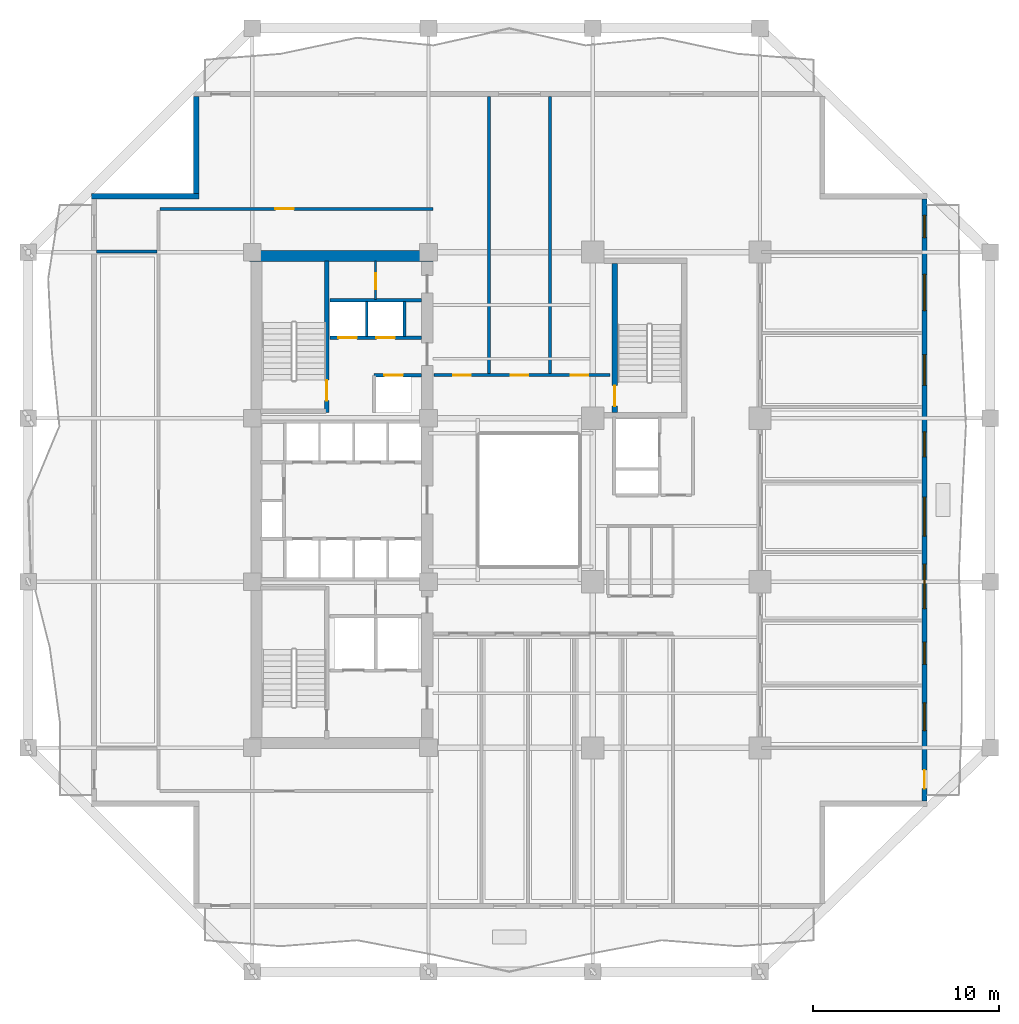
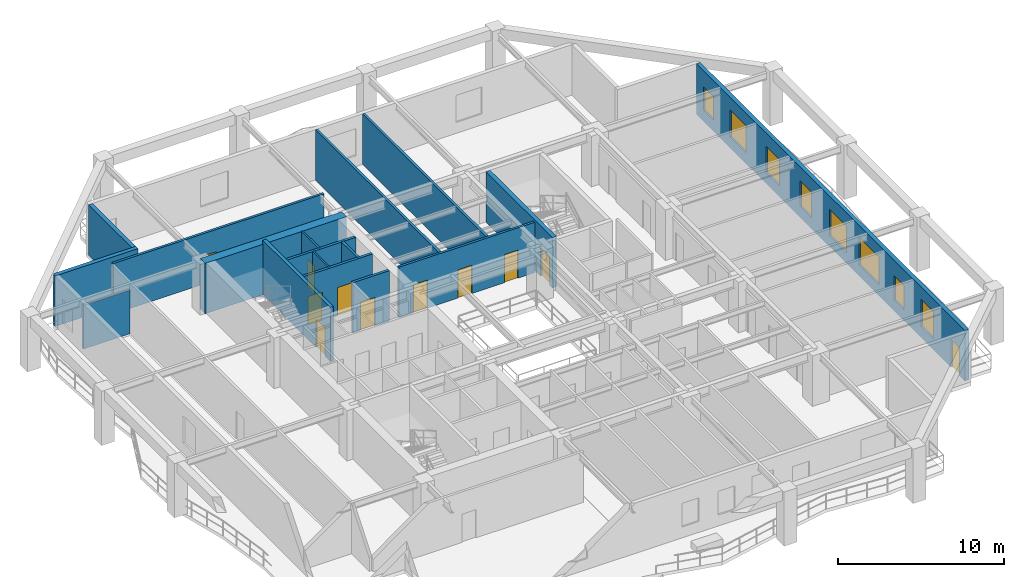
# One storey, part 5 of 13: 17 walls, 11 doors, 8 windows, 19 openings.
"""IFC4 building model written with IfcOpenShell, lengths in metres."""

from ifc_helpers import new_model, si_unit, direction, frame, frame_2d, origin, place, context, subcontext, project, spatial, rectangle, extrude, material, layer, layer_set, type_object, element, fill, save


model = new_model("IFC4")

# Units and contexts
model_context = context("Model", 3, precision=1e-05, world=origin(), true_north=direction((0.0, 1.0)))
body_context = subcontext(model_context, "Body", "Model", "MODEL_VIEW")
ifc_project = project(units=[si_unit("LENGTHUNIT", "METRE"), si_unit("AREAUNIT", "SQUARE_METRE"), si_unit("VOLUMEUNIT", "CUBIC_METRE"), si_unit("PLANEANGLEUNIT", "RADIAN"), si_unit("MASSUNIT", "GRAM", prefix="KILO")], contexts=[model_context])

# Site, building, storey
site_placement = place(None, origin())
site = spatial("IfcSite", under=ifc_project, at=site_placement, CompositionType="ELEMENT")
building_placement = place(site_placement, origin())
building = spatial("IfcBuilding", under=site, at=building_placement, Name="Kundavana Baori Tower", CompositionType="ELEMENT")
storey_placement = place(building_placement, frame((0.0, 0.0, 70.0)))
storey = spatial("IfcBuildingStorey", under=building, at=storey_placement, Name="L16", CompositionType="ELEMENT", Elevation=70.0)

# Wall, opening, door
ifc_material_1 = material(Name="Concrete C50/60", Category="concrete")
ifc_layer_1 = layer(ifc_material_1, 0.39990234375, Name="WL-CORE-400")
ifc_layer_set_1 = layer_set([ifc_layer_1], Name="Concrete C50/60")
wall_type_1 = type_object("IfcWallType", Name="WL-CORE-400", PredefinedType="SHEAR", material=ifc_layer_set_1)
wall_1_placement = place(storey_placement, frame((19.4599609375, 33.300048828125, 0.0), z_axis=(0.0, 0.0, 1.0), x_axis=(0.0, 1.0, 0.0)))
wall_1 = element("IfcWall", 1, at=wall_1_placement, inside=storey, type_object=wall_type_1, Name="WL-L16-ST2-E", PredefinedType="SHEAR", context=body_context, shape_type="SweptSolid", body=[
    extrude(rectangle(XDim=8.179931640625, YDim=0.239990234375, at=frame_2d((4.08984375, 0.0))), origin(), (0.0, 0.0, 1.0), 4.0),
])
opening_1_placement = place(wall_1_placement, frame((0.64990234375, 0.0, 0.0)))
opening_1 = element("IfcOpeningElement", 2, at=opening_1_placement, cuts=wall_1, Name="Opening FD-110", PredefinedType="OPENING", context=body_context, shape_type="SweptSolid", body=[
    extrude(rectangle(XDim=1.10009765625, YDim=2.10009765625, at=frame_2d((0.550048828125, 1.050048828125))), frame((0.0, 0.1298828125, 0.0), z_axis=(0.0, -1.0, 0.0), x_axis=(1.0, 0.0, 0.0)), (0.0, 0.0, 1.0), 0.260009765625),
])
ifc_material_2 = material(Name="Galvanised Steel Fire-Rated Door Leaf", Category="steel")
door_type_1 = type_object("IfcDoorType", Name="DR-FD120-1100", OperationType="NOTDEFINED", PredefinedType="DOOR", material=ifc_material_2)
door_1_placement = place(opening_1_placement, origin())
door_1 = element("IfcDoor", 3, at=door_1_placement, inside=storey, type_object=door_type_1, Name="DR-L16-ST2", OperationType="SINGLE_SWING_RIGHT", OverallHeight=2.10009765625, OverallWidth=1.10009765625, PredefinedType="DOOR", context=body_context, shape_type="SweptSolid", body=[
    extrude(rectangle(XDim=1.10009765625, YDim=2.10009765625, at=frame_2d((0.550048828125, 1.050048828125))), frame((0.0, 0.02490234375, 0.0), z_axis=(0.0, -1.0, 0.0), x_axis=(1.0, 0.0, 0.0)), (0.0, 0.0, 1.0), 0.050048828125),
])
fill(opening_1, door_1)

# Wall
ifc_material_3 = material(Name="Concrete C60/75", Category="concrete")
ifc_layer_2 = layer(ifc_material_3, 0.60009765625, Name="WL-CORE-600")
ifc_layer_set_2 = layer_set([ifc_layer_2], Name="Concrete C60/75")
wall_type_2 = type_object("IfcWallType", Name="WL-CORE-600", PredefinedType="SHEAR", material=ifc_layer_set_2)
wall_2_placement = place(storey_placement, frame((15.300048828125, 41.739990234375, 0.0), z_axis=(0.0, 0.0, 1.0), x_axis=(1.0, 0.0, 0.0)))
element("IfcWall", 4, at=wall_2_placement, inside=storey, type_object=wall_type_2, Name="L16 Offset Core North Shear Wall", PredefinedType="SHEAR", context=body_context, shape_type="SweptSolid", body=[
    extrude(rectangle(XDim=9.8798828125, YDim=0.60009765625, at=frame_2d((4.93994140625, 0.0))), origin(), (0.0, 0.0, 1.0), 3.719970703125),
])

# Wall, openings, door, windows
ifc_material_4 = material(Name="Red-Buff Dholpur Sandstone Cladding on Concrete C40/50", Category="masonry")
ifc_layer_3 = layer(ifc_material_4, 0.280029296875, Name="WL-EXT-SAND-280")
ifc_layer_set_3 = layer_set([ifc_layer_3], Name="Red-Buff Dholpur Sandstone Cladding on Concrete C40/50")
wall_type_3 = type_object("IfcWallType", Name="WL-EXT-SAND-280", PredefinedType="STANDARD", material=ifc_layer_set_3)
wall_3_placement = place(storey_placement, frame((51.659912109375, 12.3798828125, 0.0), z_axis=(0.0, 0.0, 1.0), x_axis=(0.0, 1.0, 0.0)))
wall_3 = element("IfcWall", 5, at=wall_3_placement, inside=storey, type_object=wall_type_3, Name="L16 Exterior Insulated Facade Wall 04", PredefinedType="STANDARD", context=body_context, shape_type="SweptSolid", body=[
    extrude(rectangle(XDim=32.440185546875, YDim=0.280029296875, at=frame_2d((16.22021484375, 0.0))), origin(), (0.0, 0.0, 1.0), 3.719970703125),
])
opening_2_placement = place(wall_3_placement, frame((0.669921875, 0.0, 0.0)))
opening_2 = element("IfcOpeningElement", 6, at=opening_2_placement, cuts=wall_3, Name="Opening BD-1", PredefinedType="OPENING", context=body_context, shape_type="SweptSolid", body=[
    extrude(rectangle(XDim=1.0, YDim=2.050048828125, at=frame_2d((0.5, 1.02490234375))), frame((0.0, 0.14990234375, 0.0), z_axis=(0.0, -1.0, 0.0), x_axis=(1.0, 0.0, 0.0)), (0.0, 0.0, 1.0), 0.300048828125),
])
opening_3_placement = place(wall_3_placement, frame((3.794921875, 0.0, 0.800048828125)))
opening_3 = element("IfcOpeningElement", 7, at=opening_3_placement, cuts=wall_3, Name="Opening W-02", PredefinedType="OPENING", context=body_context, shape_type="SweptSolid", body=[
    extrude(rectangle(XDim=1.5, YDim=2.0, at=frame_2d((0.75, 1.0))), frame((0.0, 0.14990234375, 0.0), z_axis=(0.0, -1.0, 0.0), x_axis=(1.0, 0.0, 0.0)), (0.0, 0.0, 1.0), 0.300048828125),
])
opening_4_placement = place(wall_3_placement, frame((7.3701171875, 0.0, 0.800048828125)))
opening_4 = element("IfcOpeningElement", 8, at=opening_4_placement, cuts=wall_3, Name="Opening W-03", PredefinedType="OPENING", context=body_context, shape_type="SweptSolid", body=[
    extrude(rectangle(XDim=1.199951171875, YDim=1.75, at=frame_2d((0.60009765625, 0.875))), frame((0.0, 0.14990234375, 0.0), z_axis=(0.0, -1.0, 0.0), x_axis=(1.0, 0.0, 0.0)), (0.0, 0.0, 1.0), 0.300048828125),
])
opening_5_placement = place(wall_3_placement, frame((10.3701171875, 0.0, 0.800048828125)))
opening_5 = element("IfcOpeningElement", 9, at=opening_5_placement, cuts=wall_3, Name="Opening W-04", PredefinedType="OPENING", context=body_context, shape_type="SweptSolid", body=[
    extrude(rectangle(XDim=2.39990234375, YDim=2.050048828125, at=frame_2d((1.199951171875, 1.02490234375))), frame((0.0, 0.14990234375, 0.0), z_axis=(0.0, -1.0, 0.0), x_axis=(1.0, 0.0, 0.0)), (0.0, 0.0, 1.0), 0.300048828125),
])
opening_6_placement = place(wall_3_placement, frame((14.27001953125, 0.0, 0.800048828125)))
opening_6 = element("IfcOpeningElement", 10, at=opening_6_placement, cuts=wall_3, Name="Opening W-05", PredefinedType="OPENING", context=body_context, shape_type="SweptSolid", body=[
    extrude(rectangle(XDim=2.10009765625, YDim=1.949951171875, at=frame_2d((1.050048828125, 0.97509765625))), frame((0.0, 0.14990234375, 0.0), z_axis=(0.0, -1.0, 0.0), x_axis=(1.0, 0.0, 0.0)), (0.0, 0.0, 1.0), 0.300048828125),
])
opening_7_placement = place(wall_3_placement, frame((18.544921875, 0.0, 0.800048828125)))
opening_7 = element("IfcOpeningElement", 11, at=opening_7_placement, cuts=wall_3, Name="Opening W-07", PredefinedType="OPENING", context=body_context, shape_type="SweptSolid", body=[
    extrude(rectangle(XDim=1.35009765625, YDim=1.89990234375, at=frame_2d((0.675048828125, 0.949951171875))), frame((0.0, 0.14990234375, 0.0), z_axis=(0.0, -1.0, 0.0), x_axis=(1.0, 0.0, 0.0)), (0.0, 0.0, 1.0), 0.300048828125),
])
opening_8_placement = place(wall_3_placement, frame((22.39501953125, 0.0, 0.800048828125)))
opening_8 = element("IfcOpeningElement", 12, at=opening_8_placement, cuts=wall_3, Name="Opening W-08", PredefinedType="OPENING", context=body_context, shape_type="SweptSolid", body=[
    extrude(rectangle(XDim=1.64990234375, YDim=1.949951171875, at=frame_2d((0.824951171875, 0.97509765625))), frame((0.0, 0.14990234375, 0.0), z_axis=(0.0, -1.0, 0.0), x_axis=(1.0, 0.0, 0.0)), (0.0, 0.0, 1.0), 0.300048828125),
])
opening_9_placement = place(wall_3_placement, frame((26.419921875, 0.0, 0.800048828125)))
opening_9 = element("IfcOpeningElement", 13, at=opening_9_placement, cuts=wall_3, Name="Opening W-09", PredefinedType="OPENING", context=body_context, shape_type="SweptSolid", body=[
    extrude(rectangle(XDim=1.949951171875, YDim=2.0, at=frame_2d((0.97509765625, 1.0))), frame((0.0, 0.14990234375, 0.0), z_axis=(0.0, -1.0, 0.0), x_axis=(1.0, 0.0, 0.0)), (0.0, 0.0, 1.0), 0.300048828125),
])
opening_10_placement = place(wall_3_placement, frame((30.35009765625, 0.0, 0.800048828125)))
opening_10 = element("IfcOpeningElement", 14, at=opening_10_placement, cuts=wall_3, Name="Opening W-03", PredefinedType="OPENING", context=body_context, shape_type="SweptSolid", body=[
    extrude(rectangle(XDim=1.199951171875, YDim=1.75, at=frame_2d((0.60009765625, 0.875))), frame((0.0, 0.14990234375, 0.0), z_axis=(0.0, -1.0, 0.0), x_axis=(1.0, 0.0, 0.0)), (0.0, 0.0, 1.0), 0.300048828125),
])
ifc_material_5 = material(Name="Architectural Patinated Bronze Metalwork")
door_type_2 = type_object("IfcDoorType", Name="DR-EXT-LOG-1000", OperationType="NOTDEFINED", PredefinedType="DOOR", material=ifc_material_5)
door_2_placement = place(opening_2_placement, frame((1.0, 0.0, 0.0), z_axis=(0.0, 0.0, 1.0), x_axis=(-1.0, 0.0, 0.0)))
door_2 = element("IfcDoor", 15, at=door_2_placement, inside=storey, type_object=door_type_2, Name="L16 Loggia Balcony Access Door E", OperationType="SINGLE_SWING_RIGHT", OverallHeight=2.050048828125, OverallWidth=1.0, PredefinedType="DOOR", context=body_context, shape_type="SweptSolid", body=[
    extrude(rectangle(XDim=1.0, YDim=2.050048828125, at=frame_2d((0.5, 1.02490234375))), frame((0.0, 0.02490234375, 0.0), z_axis=(0.0, -1.0, 0.0), x_axis=(1.0, 0.0, 0.0)), (0.0, 0.0, 1.0), 0.050048828125),
])
fill(opening_2, door_2)
ifc_material_6 = material(Name="Double-Glazed Solar-Control Low-E Insulated Glass", Category="glass")
window_type_1 = type_object("IfcWindowType", Name="WIN-LOG-1200x1750", PartitioningType="SINGLE_PANEL", PredefinedType="WINDOW", material=ifc_material_6)
window_1_placement = place(opening_4_placement, origin())
window_1 = element("IfcWindow", 16, at=window_1_placement, inside=storey, type_object=window_type_1, Name="L16 Recessed Loggia Window E-3", OverallHeight=1.75, OverallWidth=1.199951171875, PartitioningType="SINGLE_PANEL", PredefinedType="WINDOW", context=body_context, shape_type="SweptSolid", body=[
    extrude(rectangle(XDim=1.199951171875, YDim=1.75, at=frame_2d((0.60009765625, 0.875))), frame((0.0, 0.030029296875, 0.0), z_axis=(0.0, -1.0, 0.0), x_axis=(1.0, 0.0, 0.0)), (0.0, 0.0, 1.0), 0.06005859375),
])
fill(opening_4, window_1)
window_2_placement = place(opening_10_placement, origin())
window_2 = element("IfcWindow", 17, at=window_2_placement, inside=storey, type_object=window_type_1, Name="L16 Recessed Loggia Window E-9", OverallHeight=1.75, OverallWidth=1.199951171875, PartitioningType="SINGLE_PANEL", PredefinedType="WINDOW", context=body_context, shape_type="SweptSolid", body=[
    extrude(rectangle(XDim=1.199951171875, YDim=1.75, at=frame_2d((0.60009765625, 0.875))), frame((0.0, 0.030029296875, 0.0), z_axis=(0.0, -1.0, 0.0), x_axis=(1.0, 0.0, 0.0)), (0.0, 0.0, 1.0), 0.06005859375),
])
fill(opening_10, window_2)
ifc_material_7 = material(Name="Double-Glazed Solar-Control Low-E Insulated Glass", Category="glass")
window_type_2 = type_object("IfcWindowType", Name="WIN-LOG-1350x1900", PartitioningType="SINGLE_PANEL", PredefinedType="WINDOW", material=ifc_material_7)
window_3_placement = place(opening_7_placement, origin())
window_3 = element("IfcWindow", 18, at=window_3_placement, inside=storey, type_object=window_type_2, Name="L16 Recessed Loggia Window E-6", OverallHeight=1.89990234375, OverallWidth=1.35009765625, PartitioningType="SINGLE_PANEL", PredefinedType="WINDOW", context=body_context, shape_type="SweptSolid", body=[
    extrude(rectangle(XDim=1.35009765625, YDim=1.89990234375, at=frame_2d((0.675048828125, 0.949951171875))), frame((0.0, 0.030029296875, 0.0), z_axis=(0.0, -1.0, 0.0), x_axis=(1.0, 0.0, 0.0)), (0.0, 0.0, 1.0), 0.06005859375),
])
fill(opening_7, window_3)
ifc_material_8 = material(Name="Double-Glazed Solar-Control Low-E Insulated Glass", Category="glass")
window_type_3 = type_object("IfcWindowType", Name="WIN-LOG-1500x2000", PartitioningType="SINGLE_PANEL", PredefinedType="WINDOW", material=ifc_material_8)
window_4_placement = place(opening_3_placement, origin())
window_4 = element("IfcWindow", 19, at=window_4_placement, inside=storey, type_object=window_type_3, Name="L16 Recessed Loggia Window E-2", OverallHeight=2.0, OverallWidth=1.5, PartitioningType="SINGLE_PANEL", PredefinedType="WINDOW", context=body_context, shape_type="SweptSolid", body=[
    extrude(rectangle(XDim=1.5, YDim=2.0, at=frame_2d((0.75, 1.0))), frame((0.0, 0.030029296875, 0.0), z_axis=(0.0, -1.0, 0.0), x_axis=(1.0, 0.0, 0.0)), (0.0, 0.0, 1.0), 0.06005859375),
])
fill(opening_3, window_4)
ifc_material_9 = material(Name="Double-Glazed Solar-Control Low-E Insulated Glass", Category="glass")
window_type_4 = type_object("IfcWindowType", Name="WIN-LOG-1650x1950", PartitioningType="SINGLE_PANEL", PredefinedType="WINDOW", material=ifc_material_9)
window_5_placement = place(opening_8_placement, origin())
window_5 = element("IfcWindow", 20, at=window_5_placement, inside=storey, type_object=window_type_4, Name="L16 Recessed Loggia Window E-7", OverallHeight=1.949951171875, OverallWidth=1.64990234375, PartitioningType="SINGLE_PANEL", PredefinedType="WINDOW", context=body_context, shape_type="SweptSolid", body=[
    extrude(rectangle(XDim=1.64990234375, YDim=1.949951171875, at=frame_2d((0.824951171875, 0.97509765625))), frame((0.0, 0.030029296875, 0.0), z_axis=(0.0, -1.0, 0.0), x_axis=(1.0, 0.0, 0.0)), (0.0, 0.0, 1.0), 0.06005859375),
])
fill(opening_8, window_5)
ifc_material_10 = material(Name="Double-Glazed Solar-Control Low-E Insulated Glass", Category="glass")
window_type_5 = type_object("IfcWindowType", Name="WIN-LOG-1950x2000", PartitioningType="SINGLE_PANEL", PredefinedType="WINDOW", material=ifc_material_10)
window_6_placement = place(opening_9_placement, origin())
window_6 = element("IfcWindow", 21, at=window_6_placement, inside=storey, type_object=window_type_5, Name="L16 Recessed Loggia Window E-8", OverallHeight=2.0, OverallWidth=1.949951171875, PartitioningType="SINGLE_PANEL", PredefinedType="WINDOW", context=body_context, shape_type="SweptSolid", body=[
    extrude(rectangle(XDim=1.949951171875, YDim=2.0, at=frame_2d((0.97509765625, 1.0))), frame((0.0, 0.030029296875, 0.0), z_axis=(0.0, -1.0, 0.0), x_axis=(1.0, 0.0, 0.0)), (0.0, 0.0, 1.0), 0.06005859375),
])
fill(opening_9, window_6)
ifc_material_11 = material(Name="Double-Glazed Solar-Control Low-E Insulated Glass", Category="glass")
window_type_6 = type_object("IfcWindowType", Name="WIN-LOG-2100x1950", PartitioningType="SINGLE_PANEL", PredefinedType="WINDOW", material=ifc_material_11)
window_7_placement = place(opening_6_placement, origin())
window_7 = element("IfcWindow", 22, at=window_7_placement, inside=storey, type_object=window_type_6, Name="L16 Recessed Loggia Window E-5", OverallHeight=1.949951171875, OverallWidth=2.10009765625, PartitioningType="SINGLE_PANEL", PredefinedType="WINDOW", context=body_context, shape_type="SweptSolid", body=[
    extrude(rectangle(XDim=2.10009765625, YDim=1.949951171875, at=frame_2d((1.050048828125, 0.97509765625))), frame((0.0, 0.030029296875, 0.0), z_axis=(0.0, -1.0, 0.0), x_axis=(1.0, 0.0, 0.0)), (0.0, 0.0, 1.0), 0.06005859375),
])
fill(opening_6, window_7)
ifc_material_12 = material(Name="Double-Glazed Solar-Control Low-E Insulated Glass", Category="glass")
window_type_7 = type_object("IfcWindowType", Name="WIN-LOG-2400x2050", PartitioningType="SINGLE_PANEL", PredefinedType="WINDOW", material=ifc_material_12)
window_8_placement = place(opening_5_placement, origin())
window_8 = element("IfcWindow", 23, at=window_8_placement, inside=storey, type_object=window_type_7, Name="L16 Recessed Loggia Window E-4", OverallHeight=2.050048828125, OverallWidth=2.39990234375, PartitioningType="SINGLE_PANEL", PredefinedType="WINDOW", context=body_context, shape_type="SweptSolid", body=[
    extrude(rectangle(XDim=2.39990234375, YDim=2.050048828125, at=frame_2d((1.199951171875, 1.02490234375))), frame((0.0, 0.030029296875, 0.0), z_axis=(0.0, -1.0, 0.0), x_axis=(1.0, 0.0, 0.0)), (0.0, 0.0, 1.0), 0.06005859375),
])
fill(opening_5, window_8)

# Walls
wall_4_placement = place(storey_placement, frame((12.43994140625, 50.320068359375, 0.0), z_axis=(0.0, 0.0, 1.0), x_axis=(0.0, -1.0, 0.0)))
element("IfcWall", 24, at=wall_4_placement, inside=storey, type_object=wall_type_3, Name="L16 Exterior Insulated Facade Wall 08", PredefinedType="STANDARD", context=body_context, shape_type="SweptSolid", body=[
    extrude(rectangle(XDim=5.219970703125, YDim=0.280029296875, at=frame_2d((2.60986328125, 0.0))), origin(), (0.0, 0.0, 1.0), 3.719970703125),
])
wall_5_placement = place(storey_placement, frame((12.580078125, 44.9599609375, 0.0), z_axis=(0.0, 0.0, 1.0), x_axis=(-1.0, 0.0, 0.0)))
element("IfcWall", 25, at=wall_5_placement, inside=storey, type_object=wall_type_3, Name="L16 Exterior Insulated Facade Wall 09", PredefinedType="STANDARD", context=body_context, shape_type="SweptSolid", body=[
    extrude(rectangle(XDim=5.780029296875, YDim=0.280029296875, at=frame_2d((2.89013671875, 0.0))), origin(), (0.0, 0.0, 1.0), 3.719970703125),
])
ifc_material_13 = material(Name="Acoustic Gypsum Plasterboard on Galvanised Steel Studs", Category="steel")
ifc_layer_4 = layer(ifc_material_13, 0.1201171875, Name="WL-PART-120")
ifc_layer_set_4 = layer_set([ifc_layer_4], Name="Acoustic Gypsum Plasterboard on Galvanised Steel Studs")
wall_type_4 = type_object("IfcWallType", Name="WL-PART-120", PredefinedType="PARTITIONING", material=ifc_layer_set_4)
wall_6_placement = place(storey_placement, frame((21.6201171875, 37.39990234375, 0.0), z_axis=(0.0, 0.0, 1.0), x_axis=(0.0, 1.0, 0.0)))
element("IfcWall", 26, at=wall_6_placement, inside=storey, type_object=wall_type_4, Name="WL-L16-HR-DIV1", PredefinedType="PARTITIONING", context=body_context, shape_type="SweptSolid", body=[
    extrude(rectangle(XDim=1.900146484375, YDim=0.1201171875, at=frame_2d((0.9501953125, 0.0))), origin(), (0.0, 0.0, 1.0), 3.719970703125),
])

# Wall, opening, door
wall_7_placement = place(storey_placement, frame((22.10009765625, 39.39990234375, 0.0), z_axis=(0.0, 0.0, 1.0), x_axis=(0.0, 1.0, 0.0)))
wall_7 = element("IfcWall", 27, at=wall_7_placement, inside=storey, type_object=wall_type_4, Name="WL-L16-CSRV-D1", PredefinedType="PARTITIONING", context=body_context, shape_type="SweptSolid", body=[
    extrude(rectangle(XDim=2.080078125, YDim=0.1201171875, at=frame_2d((1.0400390625, 0.0))), origin(), (0.0, 0.0, 1.0), 3.719970703125),
])
opening_11_placement = place(wall_7_placement, frame((0.550048828125, 0.0, 0.0)))
opening_11 = element("IfcOpeningElement", 28, at=opening_11_placement, cuts=wall_7, Name="Opening FD-085", PredefinedType="OPENING", context=body_context, shape_type="SweptSolid", body=[
    extrude(rectangle(XDim=0.85009765625, YDim=2.06005859375, at=frame_2d((0.425048828125, 1.030029296875))), frame((0.0, 0.070068359375, 0.0), z_axis=(0.0, -1.0, 0.0), x_axis=(1.0, 0.0, 0.0)), (0.0, 0.0, 1.0), 0.14013671875),
])
ifc_material_14 = material(Name="Galvanised Steel Fire-Rated Door Leaf", Category="steel")
door_type_3 = type_object("IfcDoorType", Name="DR-FD60-850", OperationType="NOTDEFINED", PredefinedType="DOOR", material=ifc_material_14)
door_3_placement = place(opening_11_placement, origin())
door_3 = element("IfcDoor", 29, at=door_3_placement, inside=storey, type_object=door_type_3, Name="DR-L16-CSRV1", OperationType="SINGLE_SWING_LEFT", OverallHeight=2.06005859375, OverallWidth=0.85009765625, PredefinedType="DOOR", context=body_context, shape_type="SweptSolid", body=[
    extrude(rectangle(XDim=0.85009765625, YDim=2.06005859375, at=frame_2d((0.425048828125, 1.030029296875))), frame((0.0, 0.02490234375, 0.0), z_axis=(0.0, -1.0, 0.0), x_axis=(1.0, 0.0, 0.0)), (0.0, 0.0, 1.0), 0.050048828125),
])
fill(opening_11, door_3)

# Wall, openings, doors
ifc_material_15 = material(Name="Fire-Rated Gypsum Drywall on Galvanised Steel Studs", Category="steel")
ifc_layer_5 = layer(ifc_material_15, 0.1650390625, Name="WL-PART-165")
ifc_layer_set_5 = layer_set([ifc_layer_5], Name="Fire-Rated Gypsum Drywall on Galvanised Steel Studs")
wall_type_5 = type_object("IfcWallType", Name="WL-PART-165", PredefinedType="PARTITIONING", material=ifc_layer_set_5)
wall_8_placement = place(storey_placement, frame((25.25, 35.320068359375, 0.0), z_axis=(0.0, 0.0, 1.0), x_axis=(1.0, 0.0, 0.0)))
wall_8 = element("IfcWall", 30, at=wall_8_placement, inside=storey, type_object=wall_type_5, Name="WL-L16-OFN", PredefinedType="PARTITIONING", context=body_context, shape_type="SweptSolid", body=[
    extrude(rectangle(XDim=9.469970703125, YDim=0.1650390625, at=frame_2d((4.73486328125, 0.0))), origin(), (0.0, 0.0, 1.0), 3.719970703125),
])
opening_12_placement = place(wall_8_placement, frame((1.02490234375, 0.0, 0.0)))
opening_12 = element("IfcOpeningElement", 31, at=opening_12_placement, cuts=wall_8, Name="Opening ID-095", PredefinedType="OPENING", context=body_context, shape_type="SweptSolid", body=[
    extrude(rectangle(XDim=0.949951171875, YDim=2.080078125, at=frame_2d((0.47509765625, 1.0400390625))), frame((0.0, 0.092529296875, 0.0), z_axis=(0.0, -1.0, 0.0), x_axis=(1.0, 0.0, 0.0)), (0.0, 0.0, 1.0), 0.18505859375),
])
opening_13_placement = place(wall_8_placement, frame((4.125, 0.0, 0.0)))
opening_13 = element("IfcOpeningElement", 32, at=opening_13_placement, cuts=wall_8, Name="Opening ID-095", PredefinedType="OPENING", context=body_context, shape_type="SweptSolid", body=[
    extrude(rectangle(XDim=0.949951171875, YDim=2.080078125, at=frame_2d((0.47509765625, 1.0400390625))), frame((0.0, 0.092529296875, 0.0), z_axis=(0.0, -1.0, 0.0), x_axis=(1.0, 0.0, 0.0)), (0.0, 0.0, 1.0), 0.18505859375),
])
opening_14_placement = place(wall_8_placement, frame((7.364990234375, 0.0, 0.0)))
opening_14 = element("IfcOpeningElement", 33, at=opening_14_placement, cuts=wall_8, Name="Opening ID-095", PredefinedType="OPENING", context=body_context, shape_type="SweptSolid", body=[
    extrude(rectangle(XDim=0.949951171875, YDim=2.080078125, at=frame_2d((0.47509765625, 1.0400390625))), frame((0.0, 0.092529296875, 0.0), z_axis=(0.0, -1.0, 0.0), x_axis=(1.0, 0.0, 0.0)), (0.0, 0.0, 1.0), 0.18505859375),
])
ifc_material_16 = material(Name="Engineered Teak Solid-Core Timber Veneer", Category="wood")
door_type_4 = type_object("IfcDoorType", Name="DR-INT-950", OperationType="NOTDEFINED", PredefinedType="DOOR", material=ifc_material_16)
door_4_placement = place(opening_12_placement, origin())
door_4 = element("IfcDoor", 34, at=door_4_placement, inside=storey, type_object=door_type_4, Name="DR-L16-OFN1", OperationType="SINGLE_SWING_LEFT", OverallHeight=2.080078125, OverallWidth=0.949951171875, PredefinedType="DOOR", context=body_context, shape_type="SweptSolid", body=[
    extrude(rectangle(XDim=0.949951171875, YDim=2.080078125, at=frame_2d((0.47509765625, 1.0400390625))), frame((0.0, 0.02490234375, 0.0), z_axis=(0.0, -1.0, 0.0), x_axis=(1.0, 0.0, 0.0)), (0.0, 0.0, 1.0), 0.050048828125),
])
fill(opening_12, door_4)
door_5_placement = place(opening_13_placement, origin())
door_5 = element("IfcDoor", 35, at=door_5_placement, inside=storey, type_object=door_type_4, Name="DR-L16-OFN2", OperationType="SINGLE_SWING_LEFT", OverallHeight=2.080078125, OverallWidth=0.949951171875, PredefinedType="DOOR", context=body_context, shape_type="SweptSolid", body=[
    extrude(rectangle(XDim=0.949951171875, YDim=2.080078125, at=frame_2d((0.47509765625, 1.0400390625))), frame((0.0, 0.02490234375, 0.0), z_axis=(0.0, -1.0, 0.0), x_axis=(1.0, 0.0, 0.0)), (0.0, 0.0, 1.0), 0.050048828125),
])
fill(opening_13, door_5)
door_6_placement = place(opening_14_placement, origin())
door_6 = element("IfcDoor", 36, at=door_6_placement, inside=storey, type_object=door_type_4, Name="DR-L16-OFN3", OperationType="SINGLE_SWING_LEFT", OverallHeight=2.080078125, OverallWidth=0.949951171875, PredefinedType="DOOR", context=body_context, shape_type="SweptSolid", body=[
    extrude(rectangle(XDim=0.949951171875, YDim=2.080078125, at=frame_2d((0.47509765625, 1.0400390625))), frame((0.0, 0.02490234375, 0.0), z_axis=(0.0, -1.0, 0.0), x_axis=(1.0, 0.0, 0.0)), (0.0, 0.0, 1.0), 0.050048828125),
])
fill(opening_14, door_6)

# Wall
wall_9_placement = place(storey_placement, frame((7.080078125, 41.97998046875, 0.0), z_axis=(0.0, 0.0, 1.0), x_axis=(1.0, 0.0, 0.0)))
element("IfcWall", 37, at=wall_9_placement, inside=storey, type_object=wall_type_5, Name="WL-L16-OWN", PredefinedType="PARTITIONING", context=body_context, shape_type="SweptSolid", body=[
    extrude(rectangle(XDim=3.260009765625, YDim=0.1650390625, at=frame_2d((1.6298828125, 0.0))), origin(), (0.0, 0.0, 1.0), 3.219970703125),
])

# Wall, opening, door
wall_10_placement = place(storey_placement, frame((10.5, 44.280029296875, 0.0), z_axis=(0.0, 0.0, 1.0), x_axis=(1.0, 0.0, 0.0)))
wall_10 = element("IfcWall", 38, at=wall_10_placement, inside=storey, type_object=wall_type_5, Name="WL-L16-ONC", PredefinedType="PARTITIONING", context=body_context, shape_type="SweptSolid", body=[
    extrude(rectangle(XDim=14.699951171875, YDim=0.1650390625, at=frame_2d((7.35009765625, 0.0))), origin(), (0.0, 0.0, 1.0), 3.719970703125),
])
opening_15_placement = place(wall_10_placement, frame((6.199951171875, 0.0, 0.0)))
opening_15 = element("IfcOpeningElement", 39, at=opening_15_placement, cuts=wall_10, Name="Opening ID-100", PredefinedType="OPENING", context=body_context, shape_type="SweptSolid", body=[
    extrude(rectangle(XDim=1.0, YDim=2.080078125, at=frame_2d((0.5, 1.0400390625))), frame((0.0, 0.092529296875, 0.0), z_axis=(0.0, -1.0, 0.0), x_axis=(1.0, 0.0, 0.0)), (0.0, 0.0, 1.0), 0.18505859375),
])
ifc_material_17 = material(Name="Engineered Teak Solid-Core Timber Veneer", Category="wood")
door_type_5 = type_object("IfcDoorType", Name="DR-INT-1000", OperationType="NOTDEFINED", PredefinedType="DOOR", material=ifc_material_17)
door_7_placement = place(opening_15_placement, origin())
door_7 = element("IfcDoor", 40, at=door_7_placement, inside=storey, type_object=door_type_5, Name="DR-L16-ONWC", OperationType="SINGLE_SWING_RIGHT", OverallHeight=2.080078125, OverallWidth=1.0, PredefinedType="DOOR", context=body_context, shape_type="SweptSolid", body=[
    extrude(rectangle(XDim=1.0, YDim=2.080078125, at=frame_2d((0.5, 1.0400390625))), frame((0.0, 0.02490234375, 0.0), z_axis=(0.0, -1.0, 0.0), x_axis=(1.0, 0.0, 0.0)), (0.0, 0.0, 1.0), 0.050048828125),
])
fill(opening_15, door_7)

# Walls
for number, where, z_axis, x_axis, name in (
    (41, (28.199951171875, 35.39990234375, 0.0), (0.0, 0.0, 1.0), (0.0, 1.0, 0.0), "WL-L16-ND1"),
    (42, (31.5, 35.39990234375, 0.0), (0.0, 0.0, 1.0), (0.0, 1.0, 0.0), "WL-L16-ND2"),
):
    element("IfcWall", number, at=place(storey_placement, frame(where, z_axis=z_axis, x_axis=x_axis)), inside=storey, type_object=wall_type_5, Name=name, PredefinedType="PARTITIONING", context=body_context, shape_type="SweptSolid", body=[
        extrude(rectangle(XDim=14.920166015625, YDim=0.1650390625, at=frame_2d((7.4599609375, 0.0))), origin(), (0.0, 0.0, 1.0), 3.719970703125),
    ])

# Wall, opening, door
ifc_material_18 = material(Name="Autoclaved Aerated Concrete Blockwork Masonry", Category="masonry")
ifc_layer_6 = layer(ifc_material_18, 0.179931640625, Name="WL-SHAFT-180")
ifc_layer_set_6 = layer_set([ifc_layer_6], Name="Autoclaved Aerated Concrete Blockwork Masonry")
wall_type_6 = type_object("IfcWallType", Name="WL-SHAFT-180", PredefinedType="SOLIDWALL", material=ifc_layer_set_6)
wall_11_placement = place(storey_placement, frame((22.02001953125, 35.31005859375, 0.0), z_axis=(0.0, 0.0, 1.0), x_axis=(1.0, 0.0, 0.0)))
wall_11 = element("IfcWall", 43, at=wall_11_placement, inside=storey, type_object=wall_type_6, Name="WL-L16-LP11-N", PredefinedType="SOLIDWALL", context=body_context, shape_type="SweptSolid", body=[
    extrude(rectangle(XDim=2.56005859375, YDim=0.179931640625, at=frame_2d((1.280029296875, 0.0))), origin(), (0.0, 0.0, 1.0), 3.719970703125),
])
opening_16_placement = place(wall_11_placement, frame((0.550048828125, 0.0, 0.0)))
opening_16 = element("IfcOpeningElement", 44, at=opening_16_placement, cuts=wall_11, Name="Opening LD-100", PredefinedType="OPENING", context=body_context, shape_type="SweptSolid", body=[
    extrude(rectangle(XDim=1.0, YDim=2.10009765625, at=frame_2d((0.5, 1.050048828125))), frame((0.0, 0.10009765625, 0.0), z_axis=(0.0, -1.0, 0.0), x_axis=(1.0, 0.0, 0.0)), (0.0, 0.0, 1.0), 0.199951171875),
])
ifc_material_19 = material(Name="Galvanised Steel Fire-Rated Door Leaf", Category="steel")
door_type_6 = type_object("IfcDoorType", Name="DR-SLIDE-LD1000", OperationType="NOTDEFINED", PredefinedType="DOOR", material=ifc_material_19)
door_8_placement = place(opening_16_placement, origin())
door_8 = element("IfcDoor", 45, at=door_8_placement, inside=storey, type_object=door_type_6, Name="DR-L16-LD-LP11", OperationType="DOUBLE_DOOR_SLIDING", OverallHeight=2.10009765625, OverallWidth=1.0, PredefinedType="DOOR", context=body_context, shape_type="SweptSolid", body=[
    extrude(rectangle(XDim=1.0, YDim=2.10009765625, at=frame_2d((0.5, 1.050048828125))), frame((0.0, 0.02490234375, 0.0), z_axis=(0.0, -1.0, 0.0), x_axis=(1.0, 0.0, 0.0)), (0.0, 0.0, 1.0), 0.050048828125),
])
fill(opening_16, door_8)

# Wall, openings, doors
wall_12_placement = place(storey_placement, frame((19.639892578125, 37.340087890625, 0.0), z_axis=(0.0, 0.0, 1.0), x_axis=(1.0, 0.0, 0.0)))
wall_12 = element("IfcWall", 46, at=wall_12_placement, inside=storey, type_object=wall_type_6, Name="WL-L16-HRLOB-N", PredefinedType="SOLIDWALL", context=body_context, shape_type="SweptSolid", body=[
    extrude(rectangle(XDim=4.940185546875, YDim=0.179931640625, at=frame_2d((2.47021484375, 0.0))), origin(), (0.0, 0.0, 1.0), 3.719970703125),
])
opening_17_placement = place(wall_12_placement, frame((0.449951171875, 0.0, 0.0)))
opening_17 = element("IfcOpeningElement", 47, at=opening_17_placement, cuts=wall_12, Name="Opening LD-100", PredefinedType="OPENING", context=body_context, shape_type="SweptSolid", body=[
    extrude(rectangle(XDim=1.0, YDim=2.10009765625, at=frame_2d((0.5, 1.050048828125))), frame((0.0, 0.10009765625, 0.0), z_axis=(0.0, -1.0, 0.0), x_axis=(1.0, 0.0, 0.0)), (0.0, 0.0, 1.0), 0.199951171875),
])
opening_18_placement = place(wall_12_placement, frame((2.5, 0.0, 0.0)))
opening_18 = element("IfcOpeningElement", 48, at=opening_18_placement, cuts=wall_12, Name="Opening LD-100", PredefinedType="OPENING", context=body_context, shape_type="SweptSolid", body=[
    extrude(rectangle(XDim=1.0, YDim=2.10009765625, at=frame_2d((0.5, 1.050048828125))), frame((0.0, 0.10009765625, 0.0), z_axis=(0.0, -1.0, 0.0), x_axis=(1.0, 0.0, 0.0)), (0.0, 0.0, 1.0), 0.199951171875),
])
door_9_placement = place(opening_17_placement, frame((1.0, 0.0, 0.0), z_axis=(0.0, 0.0, 1.0), x_axis=(-1.0, 0.0, 0.0)))
door_9 = element("IfcDoor", 49, at=door_9_placement, inside=storey, type_object=door_type_6, Name="DR-L16-LD-LP09", OperationType="DOUBLE_DOOR_SLIDING", OverallHeight=2.10009765625, OverallWidth=1.0, PredefinedType="DOOR", context=body_context, shape_type="SweptSolid", body=[
    extrude(rectangle(XDim=1.0, YDim=2.10009765625, at=frame_2d((0.5, 1.050048828125))), frame((0.0, 0.02490234375, 0.0), z_axis=(0.0, -1.0, 0.0), x_axis=(1.0, 0.0, 0.0)), (0.0, 0.0, 1.0), 0.050048828125),
])
fill(opening_17, door_9)
door_10_placement = place(opening_18_placement, frame((1.0, 0.0, 0.0), z_axis=(0.0, 0.0, 1.0), x_axis=(-1.0, 0.0, 0.0)))
door_10 = element("IfcDoor", 50, at=door_10_placement, inside=storey, type_object=door_type_6, Name="DR-L16-LD-LP10", OperationType="DOUBLE_DOOR_SLIDING", OverallHeight=2.10009765625, OverallWidth=1.0, PredefinedType="DOOR", context=body_context, shape_type="SweptSolid", body=[
    extrude(rectangle(XDim=1.0, YDim=2.10009765625, at=frame_2d((0.5, 1.050048828125))), frame((0.0, 0.02490234375, 0.0), z_axis=(0.0, -1.0, 0.0), x_axis=(1.0, 0.0, 0.0)), (0.0, 0.0, 1.0), 0.050048828125),
])
fill(opening_18, door_10)

# Walls
wall_13_placement = place(storey_placement, frame((19.639892578125, 39.360107421875, 0.0), z_axis=(0.0, 0.0, 1.0), x_axis=(1.0, 0.0, 0.0)))
element("IfcWall", 51, at=wall_13_placement, inside=storey, type_object=wall_type_6, Name="WL-L16-HRLOB-TOP", PredefinedType="SOLIDWALL", context=body_context, shape_type="SweptSolid", body=[
    extrude(rectangle(XDim=4.940185546875, YDim=0.179931640625, at=frame_2d((2.47021484375, 0.0))), origin(), (0.0, 0.0, 1.0), 3.719970703125),
])
wall_14_placement = place(storey_placement, frame((23.659912109375, 37.39990234375, 0.0), z_axis=(0.0, 0.0, 1.0), x_axis=(0.0, 1.0, 0.0)))
element("IfcWall", 52, at=wall_14_placement, inside=storey, type_object=wall_type_6, Name="WL-L16-HR-DIV2", PredefinedType="SOLIDWALL", context=body_context, shape_type="SweptSolid", body=[
    extrude(rectangle(XDim=1.900146484375, YDim=0.179931640625, at=frame_2d((0.9501953125, 0.0))), origin(), (0.0, 0.0, 1.0), 3.719970703125),
])

# Wall, opening, door
ifc_material_20 = material(Name="Concrete C50/60", Category="concrete")
ifc_layer_7 = layer(ifc_material_20, 0.300048828125, Name="WL-ST3-300")
ifc_layer_set_7 = layer_set([ifc_layer_7], Name="Concrete C50/60")
wall_type_7 = type_object("IfcWallType", Name="WL-ST3-300", PredefinedType="SHEAR", material=ifc_layer_set_7)
wall_15_placement = place(storey_placement, frame((34.97998046875, 33.31005859375, 0.0), z_axis=(0.0, 0.0, 1.0), x_axis=(0.0, 1.0, 0.0)))
wall_15 = element("IfcWall", 53, at=wall_15_placement, inside=storey, type_object=wall_type_7, Name="L16 Stair ST3 West Shear Wall", PredefinedType="SHEAR", context=body_context, shape_type="SweptSolid", body=[
    extrude(rectangle(XDim=8.030029296875, YDim=0.300048828125, at=frame_2d((4.01513671875, 0.0))), origin(), (0.0, 0.0, 1.0), 3.719970703125),
])
opening_19_placement = place(wall_15_placement, frame((0.35009765625, 0.0, 0.0)))
opening_19 = element("IfcOpeningElement", 54, at=opening_19_placement, cuts=wall_15, Name="Opening FD-110", PredefinedType="OPENING", context=body_context, shape_type="SweptSolid", body=[
    extrude(rectangle(XDim=1.10009765625, YDim=2.10009765625, at=frame_2d((0.550048828125, 1.050048828125))), frame((0.0, 0.16015625, 0.0), z_axis=(0.0, -1.0, 0.0), x_axis=(1.0, 0.0, 0.0)), (0.0, 0.0, 1.0), 0.320068359375),
])
door_11_placement = place(opening_19_placement, origin())
door_11 = element("IfcDoor", 55, at=door_11_placement, inside=storey, type_object=door_type_1, Name="DR-L16-ST3-W", OperationType="SINGLE_SWING_LEFT", OverallHeight=2.10009765625, OverallWidth=1.10009765625, PredefinedType="DOOR", context=body_context, shape_type="SweptSolid", body=[
    extrude(rectangle(XDim=1.10009765625, YDim=2.10009765625, at=frame_2d((0.550048828125, 1.050048828125))), frame((0.0, 0.02490234375, 0.0), z_axis=(0.0, -1.0, 0.0), x_axis=(1.0, 0.0, 0.0)), (0.0, 0.0, 1.0), 0.050048828125),
])
fill(opening_19, door_11)

save(model, "model.ifc")
